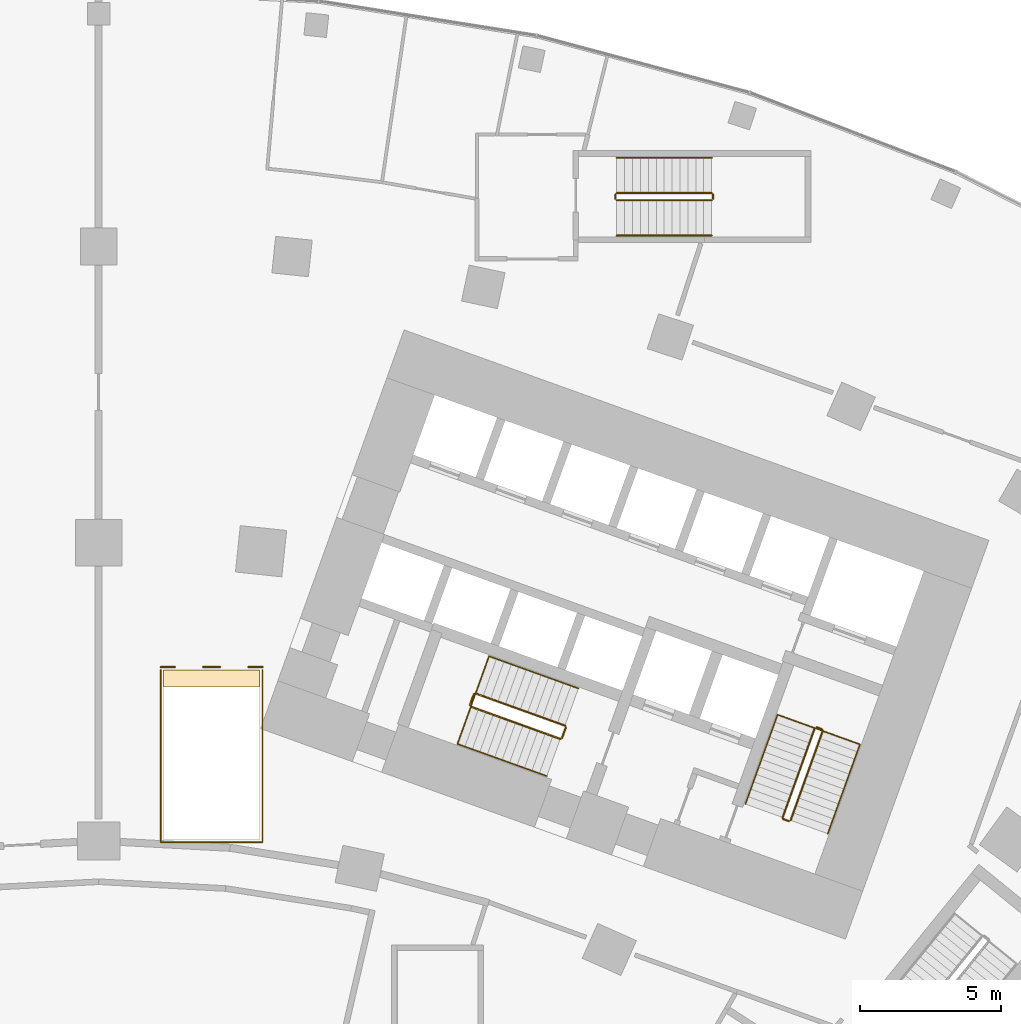
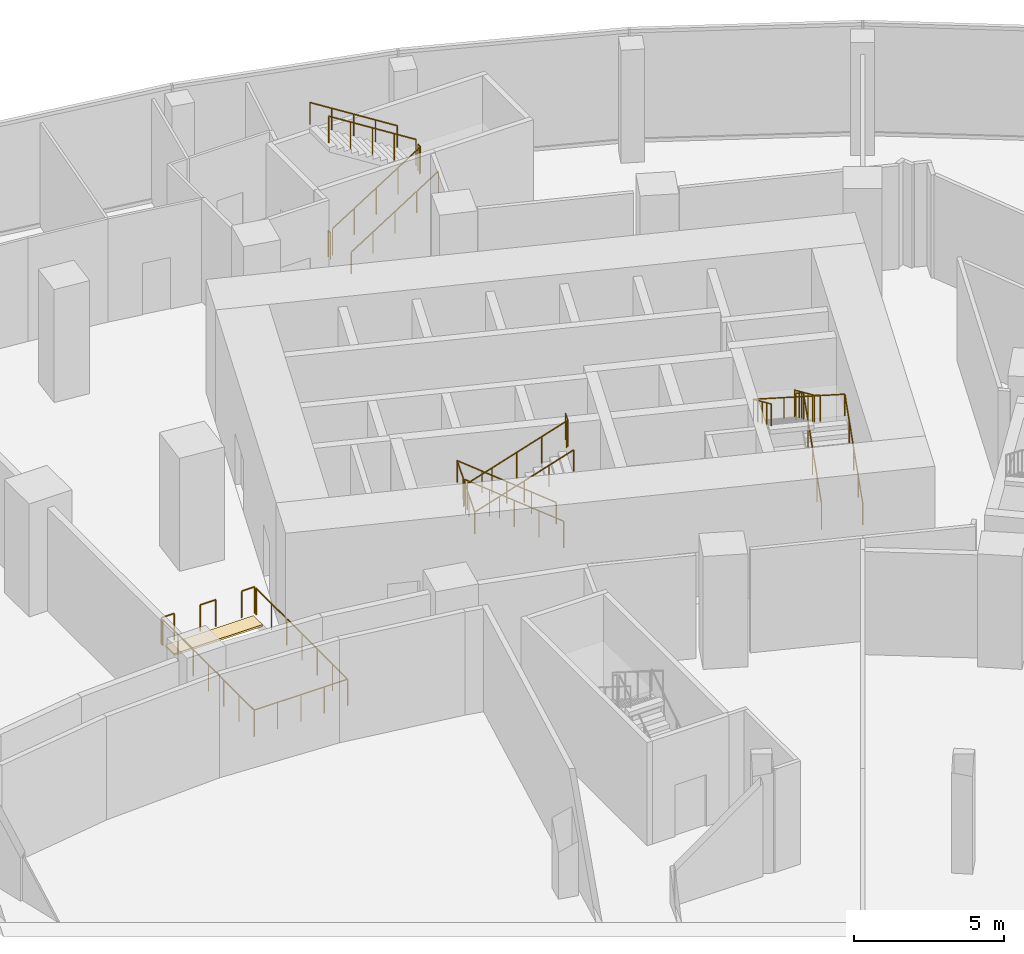
# One storey, part 39 of 40: 16 railings, 1 covering.
"""IFC4 building model written with IfcOpenShell, lengths in metres."""

from ifc_helpers import new_model, si_unit, direction, frame, origin, origin_2d, place, context, subcontext, project, spatial, polyline, circle, outline, extrude, material, layer, layer_set, type_object, element, save


model = new_model("IFC4")

# Units and contexts
model_context = context("Model", 3, precision=1e-05, world=origin(), true_north=direction((0.0, 1.0)))
body_context = subcontext(model_context, "Body", "Model", "MODEL_VIEW")
ifc_project = project(units=[si_unit("LENGTHUNIT", "METRE"), si_unit("AREAUNIT", "SQUARE_METRE"), si_unit("VOLUMEUNIT", "CUBIC_METRE"), si_unit("PLANEANGLEUNIT", "RADIAN"), si_unit("MASSUNIT", "GRAM", prefix="KILO")], contexts=[model_context])

# Site, building, storey
site_placement = place(None, origin())
site = spatial("IfcSite", under=ifc_project, at=site_placement, CompositionType="ELEMENT")
building_placement = place(site_placement, origin())
building = spatial("IfcBuilding", under=site, at=building_placement, Name="Stone Belt Terrace Tower", CompositionType="ELEMENT")
storey_placement = place(building_placement, frame((0.0, 0.0, 11.60009765625)))
storey = spatial("IfcBuildingStorey", under=building, at=storey_placement, Name="L02", CompositionType="ELEMENT", Elevation=11.60009765625)

# Covering
ifc_material_1 = material(Name="Stainless steel floor plate", Category="steel")
ifc_layer = layer(ifc_material_1, 0.080078125)
ifc_layer_set = layer_set([ifc_layer], Name="Escalator landing plate 80")
covering_type = type_object("IfcCoveringType", Name="Escalator landing plate 80", PredefinedType="FLOORING", material=ifc_layer_set)
covering_placement = place(storey_placement, frame((0.0, 0.0, -0.080078125)))
element("IfcCovering", 1, at=covering_placement, inside=storey, type_object=covering_type, Name="Escalator E2 landing plate", PredefinedType="FLOORING", context=body_context, shape_type="SweptSolid", body=[
    extrude(outline(polyline([(2.300048828125, 49.89990234375), (2.300048828125, 50.5), (5.699951171875, 50.5), (5.699951171875, 49.89990234375), (2.300048828125, 49.89990234375)])), origin(), (0.0, 0.0, 1.0), 0.080078125),
])

# Railings
ifc_material_2 = material(Name="Glass and stainless steel balustrade", Category="steel")
railing_type_1 = type_object("IfcRailingType", Name="Podium guard 1100", PredefinedType="GUARDRAIL", material=ifc_material_2)
railing_1_placement = place(storey_placement, frame((2.199951171875, 50.5, 0.0)))
element("IfcRailing", 2, at=railing_1_placement, inside=storey, type_object=railing_type_1, Name="Escalator E2 opening guard", PredefinedType="GUARDRAIL", context=body_context, shape_type="SweptSolid", body=[
    extrude(circle(Radius=0.02392578125, at=origin_2d()), frame((0.0, 0.0, 1.076171875), z_axis=(0.0, -1.0, 0.0), x_axis=(1.0, 0.0, 0.0)), (0.0, 0.0, 1.0), 6.10009765625),
    extrude(circle(Radius=0.02392578125, at=origin_2d()), frame((0.0, -6.10009765625, 1.076171875), z_axis=(1.0, 0.0, 0.0), x_axis=(0.0, 1.0, 0.0)), (0.0, 0.0, 1.0), 3.60009765625),
    extrude(circle(Radius=0.02392578125, at=origin_2d()), frame((3.60009765625, -6.10009765625, 1.076171875), z_axis=(0.0, 1.0, 0.0), x_axis=(-1.0, 0.0, 0.0)), (0.0, 0.0, 1.0), 6.10009765625),
    extrude(circle(Radius=0.02099609375, at=origin_2d()), origin(), (0.0, 0.0, 1.0), 1.052001953125),
    extrude(circle(Radius=0.02099609375, at=origin_2d()), frame((0.0, -1.0166015625, 0.0)), (0.0, 0.0, 1.0), 1.052001953125),
    extrude(circle(Radius=0.02099609375, at=origin_2d()), frame((0.0, -2.033447265625, 0.0)), (0.0, 0.0, 1.0), 1.052001953125),
    extrude(circle(Radius=0.02099609375, at=origin_2d()), frame((0.0, -3.050048828125, 0.0)), (0.0, 0.0, 1.0), 1.052001953125),
    extrude(circle(Radius=0.02099609375, at=origin_2d()), frame((0.0, -4.066650390625, 0.0)), (0.0, 0.0, 1.0), 1.052001953125),
    extrude(circle(Radius=0.02099609375, at=origin_2d()), frame((0.0, -5.08349609375, 0.0)), (0.0, 0.0, 1.0), 1.052001953125),
    extrude(circle(Radius=0.02099609375, at=origin_2d()), frame((0.0, -6.10009765625, 0.0)), (0.0, 0.0, 1.0), 1.052001953125),
    extrude(circle(Radius=0.02099609375, at=origin_2d()), frame((0.89990234375, -6.10009765625, 0.0)), (0.0, 0.0, 1.0), 1.052001953125),
    extrude(circle(Radius=0.02099609375, at=origin_2d()), frame((1.800048828125, -6.10009765625, 0.0)), (0.0, 0.0, 1.0), 1.052001953125),
    extrude(circle(Radius=0.02099609375, at=origin_2d()), frame((2.7001953125, -6.10009765625, 0.0)), (0.0, 0.0, 1.0), 1.052001953125),
    extrude(circle(Radius=0.02099609375, at=origin_2d()), frame((3.60009765625, -6.10009765625, 0.0)), (0.0, 0.0, 1.0), 1.052001953125),
    extrude(circle(Radius=0.02099609375, at=origin_2d()), frame((3.60009765625, -5.08349609375, 0.0)), (0.0, 0.0, 1.0), 1.052001953125),
    extrude(circle(Radius=0.02099609375, at=origin_2d()), frame((3.60009765625, -4.066650390625, 0.0)), (0.0, 0.0, 1.0), 1.052001953125),
    extrude(circle(Radius=0.02099609375, at=origin_2d()), frame((3.60009765625, -3.050048828125, 0.0)), (0.0, 0.0, 1.0), 1.052001953125),
    extrude(circle(Radius=0.02099609375, at=origin_2d()), frame((3.60009765625, -2.033447265625, 0.0)), (0.0, 0.0, 1.0), 1.052001953125),
    extrude(circle(Radius=0.02099609375, at=origin_2d()), frame((3.60009765625, -1.0166015625, 0.0)), (0.0, 0.0, 1.0), 1.052001953125),
    extrude(circle(Radius=0.02099609375, at=origin_2d()), frame((3.60009765625, 0.0, 0.0)), (0.0, 0.0, 1.0), 1.052001953125),
])
railing_2_placement = place(storey_placement, frame((2.199951171875, 50.60009765625, 0.0)))
element("IfcRailing", 3, at=railing_2_placement, inside=storey, type_object=railing_type_1, Name="Escalator E2 arrival edge guard 1", PredefinedType="GUARDRAIL", context=body_context, shape_type="SweptSolid", body=[
    extrude(circle(Radius=0.02392578125, at=origin_2d()), frame((0.0, 0.0, 1.076171875), z_axis=(1.0, 0.0, 0.0), x_axis=(0.0, 1.0, 0.0)), (0.0, 0.0, 1.0), 0.5),
    extrude(circle(Radius=0.02099609375, at=origin_2d()), origin(), (0.0, 0.0, 1.0), 1.052001953125),
    extrude(circle(Radius=0.02099609375, at=origin_2d()), frame((0.5, 0.0, 0.0)), (0.0, 0.0, 1.0), 1.052001953125),
])
railing_3_placement = place(storey_placement, frame((3.699951171875, 50.60009765625, 0.0)))
element("IfcRailing", 4, at=railing_3_placement, inside=storey, type_object=railing_type_1, Name="Escalator E2 arrival edge guard 2", PredefinedType="GUARDRAIL", context=body_context, shape_type="SweptSolid", body=[
    extrude(circle(Radius=0.02392578125, at=origin_2d()), frame((0.0, 0.0, 1.076171875), z_axis=(1.0, 0.0, 0.0), x_axis=(0.0, 1.0, 0.0)), (0.0, 0.0, 1.0), 0.60009765625),
    extrude(circle(Radius=0.02099609375, at=origin_2d()), origin(), (0.0, 0.0, 1.0), 1.052001953125),
    extrude(circle(Radius=0.02099609375, at=origin_2d()), frame((0.60009765625, 0.0, 0.0)), (0.0, 0.0, 1.0), 1.052001953125),
])
railing_4_placement = place(storey_placement, frame((5.300048828125, 50.60009765625, 0.0)))
element("IfcRailing", 5, at=railing_4_placement, inside=storey, type_object=railing_type_1, Name="Escalator E2 arrival edge guard 3", PredefinedType="GUARDRAIL", context=body_context, shape_type="SweptSolid", body=[
    extrude(circle(Radius=0.02392578125, at=origin_2d()), frame((0.0, 0.0, 1.076171875), z_axis=(1.0, 0.0, 0.0), x_axis=(0.0, 1.0, 0.0)), (0.0, 0.0, 1.0), 0.5),
    extrude(circle(Radius=0.02099609375, at=origin_2d()), origin(), (0.0, 0.0, 1.0), 1.052001953125),
    extrude(circle(Radius=0.02099609375, at=origin_2d()), frame((0.5, 0.0, 0.0)), (0.0, 0.0, 1.0), 1.052001953125),
])
ifc_material_3 = material(Name="Steel balustrade", Category="steel")
railing_type_2 = type_object("IfcRailingType", Name="Podium stair guard", PredefinedType="GUARDRAIL", material=ifc_material_3)
railing_5_placement = place(storey_placement, frame((18.340087890625, 67.125, 0.1767578125)))
element("IfcRailing", 6, at=railing_5_placement, inside=storey, type_object=railing_type_2, Name="L02 PS8 stair guard 1", PredefinedType="GUARDRAIL", context=body_context, shape_type="SweptSolid", body=[
    extrude(circle(Radius=0.02392578125, at=origin_2d()), frame((0.0, 0.0, 1.076171875), z_axis=(0.845372108799, 0.0, 0.534177870812), x_axis=(0.0, 1.0, 0.0)), (0.0, 0.0, 1.0), 3.974365234375),
    extrude(circle(Radius=0.02099609375, at=origin_2d()), origin(), (0.0, 0.0, 1.0), 1.052001953125),
    extrude(circle(Radius=0.02099609375, at=origin_2d()), frame((0.83984375, 0.0, 0.53076171875)), (0.0, 0.0, 1.0), 1.052001953125),
    extrude(circle(Radius=0.02099609375, at=origin_2d()), frame((1.679931640625, 0.0, 1.0615234375)), (0.0, 0.0, 1.0), 1.052001953125),
    extrude(circle(Radius=0.02099609375, at=origin_2d()), frame((2.52001953125, 0.0, 1.59228515625)), (0.0, 0.0, 1.0), 1.052001953125),
    extrude(circle(Radius=0.02099609375, at=origin_2d()), frame((3.35986328125, 0.0, 2.123046875)), (0.0, 0.0, 1.0), 1.052001953125),
])
railing_6_placement = place(storey_placement, frame((21.75, 67.175048828125, 2.2998046875)))
element("IfcRailing", 7, at=railing_6_placement, inside=storey, type_object=railing_type_2, Name="L02 PS8 stair guard 2", PredefinedType="GUARDRAIL", context=body_context, shape_type="SweptSolid", body=[
    extrude(circle(Radius=0.02392578125, at=origin_2d()), frame((0.0, 0.0, 1.076171875), z_axis=(0.0, 1.0, 0.0), x_axis=(-1.0, 0.0, 0.0)), (0.0, 0.0, 1.0), 0.14990234375),
    extrude(circle(Radius=0.02099609375, at=origin_2d()), origin(), (0.0, 0.0, 1.0), 1.052001953125),
    extrude(circle(Radius=0.02099609375, at=origin_2d()), frame((0.0, 0.14990234375, 0.0)), (0.0, 0.0, 1.0), 1.052001953125),
])
railing_7_placement = place(storey_placement, frame((21.699951171875, 67.375, 2.476806640625)))
element("IfcRailing", 8, at=railing_7_placement, inside=storey, type_object=railing_type_2, Name="L02 PS8 stair guard 3", PredefinedType="GUARDRAIL", context=body_context, shape_type="SweptSolid", body=[
    extrude(circle(Radius=0.02392578125, at=origin_2d()), frame((0.0, 0.0, 1.076171875), z_axis=(-0.845372108799, 0.0, 0.534177870812), x_axis=(0.0, -1.0, 0.0)), (0.0, 0.0, 1.0), 3.974365234375),
    extrude(circle(Radius=0.02099609375, at=origin_2d()), origin(), (0.0, 0.0, 1.0), 1.052001953125),
    extrude(circle(Radius=0.02099609375, at=origin_2d()), frame((-0.83984375, 0.0, 0.53076171875)), (0.0, 0.0, 1.0), 1.052001953125),
    extrude(circle(Radius=0.02099609375, at=origin_2d()), frame((-1.679931640625, 0.0, 1.0615234375)), (0.0, 0.0, 1.0), 1.052001953125),
    extrude(circle(Radius=0.02099609375, at=origin_2d()), frame((-2.52001953125, 0.0, 1.59228515625)), (0.0, 0.0, 1.0), 1.052001953125),
    extrude(circle(Radius=0.02099609375, at=origin_2d()), frame((-3.35986328125, 0.0, 2.123046875)), (0.0, 0.0, 1.0), 1.052001953125),
])
railing_8_placement = place(storey_placement, frame((18.2900390625, 67.175048828125, 0.0)))
element("IfcRailing", 9, at=railing_8_placement, inside=storey, type_object=railing_type_2, Name="L02 PS8 stair guard 4", PredefinedType="GUARDRAIL", context=body_context, shape_type="SweptSolid", body=[
    extrude(circle(Radius=0.02392578125, at=origin_2d()), frame((0.0, 0.0, 1.076171875), z_axis=(0.0, 1.0, 0.0), x_axis=(-1.0, 0.0, 0.0)), (0.0, 0.0, 1.0), 0.14990234375),
    extrude(circle(Radius=0.02099609375, at=origin_2d()), origin(), (0.0, 0.0, 1.0), 1.052001953125),
    extrude(circle(Radius=0.02099609375, at=origin_2d()), frame((0.0, 0.14990234375, 0.0)), (0.0, 0.0, 1.0), 1.052001953125),
])
ifc_material_4 = material(Name="Stainless steel handrail", Category="steel")
railing_type_3 = type_object("IfcRailingType", Name="Podium stair handrail", PredefinedType="HANDRAIL", material=ifc_material_4)
railing_9_placement = place(storey_placement, frame((18.340087890625, 65.875, 0.1767578125)))
element("IfcRailing", 10, at=railing_9_placement, inside=storey, type_object=railing_type_3, Name="L02 PS8 stair handrail 1", PredefinedType="HANDRAIL", context=body_context, shape_type="SweptSolid", body=[
    extrude(circle(Radius=0.02392578125, at=origin_2d()), frame((0.0, 0.0, 0.8759765625), z_axis=(0.845372108799, 0.0, 0.534177870812), x_axis=(0.0, 1.0, 0.0)), (0.0, 0.0, 1.0), 3.974365234375),
    extrude(circle(Radius=0.02099609375, at=origin_2d()), origin(), (0.0, 0.0, 1.0), 0.851806640625),
    extrude(circle(Radius=0.02099609375, at=origin_2d()), frame((0.83984375, 0.0, 0.53076171875)), (0.0, 0.0, 1.0), 0.851806640625),
    extrude(circle(Radius=0.02099609375, at=origin_2d()), frame((1.679931640625, 0.0, 1.0615234375)), (0.0, 0.0, 1.0), 0.851806640625),
    extrude(circle(Radius=0.02099609375, at=origin_2d()), frame((2.52001953125, 0.0, 1.59228515625)), (0.0, 0.0, 1.0), 0.851806640625),
    extrude(circle(Radius=0.02099609375, at=origin_2d()), frame((3.35986328125, 0.0, 2.123046875)), (0.0, 0.0, 1.0), 0.851806640625),
])
railing_10_placement = place(storey_placement, frame((21.699951171875, 68.625, 2.476806640625)))
element("IfcRailing", 11, at=railing_10_placement, inside=storey, type_object=railing_type_3, Name="L02 PS8 stair handrail 2", PredefinedType="HANDRAIL", context=body_context, shape_type="SweptSolid", body=[
    extrude(circle(Radius=0.02392578125, at=origin_2d()), frame((0.0, 0.0, 0.8759765625), z_axis=(-0.845372108799, 0.0, 0.534177870812), x_axis=(0.0, -1.0, 0.0)), (0.0, 0.0, 1.0), 3.974365234375),
    extrude(circle(Radius=0.02099609375, at=origin_2d()), origin(), (0.0, 0.0, 1.0), 0.851806640625),
    extrude(circle(Radius=0.02099609375, at=origin_2d()), frame((-0.83984375, 0.0, 0.53076171875)), (0.0, 0.0, 1.0), 0.851806640625),
    extrude(circle(Radius=0.02099609375, at=origin_2d()), frame((-1.679931640625, 0.0, 1.0615234375)), (0.0, 0.0, 1.0), 0.851806640625),
    extrude(circle(Radius=0.02099609375, at=origin_2d()), frame((-2.52001953125, 0.0, 1.59228515625)), (0.0, 0.0, 1.0), 0.851806640625),
    extrude(circle(Radius=0.02099609375, at=origin_2d()), frame((-3.35986328125, 0.0, 2.123046875)), (0.0, 0.0, 1.0), 0.851806640625),
])
ifc_material_5 = material(Name="Structural steel C345", Category="steel")
railing_type_4 = type_object("IfcRailingType", Name="Stair guard 1100", PredefinedType="GUARDRAIL", material=ifc_material_5)
railing_11_placement = place(storey_placement, frame((24.494140625, 45.174560546875, 0.1767578125)))
element("IfcRailing", 12, at=railing_11_placement, inside=storey, type_object=railing_type_4, Name="L02 ST1B stair guard 1", PredefinedType="GUARDRAIL", context=body_context, shape_type="SweptSolid", body=[
    extrude(circle(Radius=0.02392578125, at=origin_2d()), frame((0.0, 0.0, 1.076171875), z_axis=(0.286311103083, 0.795417823175, 0.534168923494), x_axis=(-0.940902231577, 0.338678299589, 0.0)), (0.0, 0.0, 1.0), 3.974365234375),
    extrude(circle(Radius=0.02392578125, at=origin_2d()), frame((1.137939453125, 3.161376953125, 3.19921875), z_axis=(-0.427789722475, 0.903878284585, 0.0), x_axis=(-0.903878284585, -0.427789722475, 0.0)), (0.0, 0.0, 1.0), 0.07080078125),
    extrude(circle(Radius=0.02392578125, at=origin_2d()), frame((1.107666015625, 3.225341796875, 3.19921875), z_axis=(-0.940575576748, 0.339584429008, 0.0), x_axis=(-0.339584429008, -0.940575576748, 0.0)), (0.0, 0.0, 1.0), 0.199951171875),
    extrude(circle(Radius=0.02099609375, at=origin_2d()), origin(), (0.0, 0.0, 1.0), 1.052001953125),
    extrude(circle(Radius=0.02099609375, at=origin_2d()), frame((0.284423828125, 0.790283203125, 0.53076171875)), (0.0, 0.0, 1.0), 1.052001953125),
    extrude(circle(Radius=0.02099609375, at=origin_2d()), frame((0.56884765625, 1.58056640625, 1.0615234375)), (0.0, 0.0, 1.0), 1.052001953125),
    extrude(circle(Radius=0.02099609375, at=origin_2d()), frame((0.853515625, 2.37109375, 1.59228515625)), (0.0, 0.0, 1.0), 1.052001953125),
    extrude(circle(Radius=0.02099609375, at=origin_2d()), frame((1.137939453125, 3.161376953125, 2.123046875)), (0.0, 0.0, 1.0), 1.052001953125),
    extrude(circle(Radius=0.02099609375, at=origin_2d()), frame((1.107666015625, 3.225341796875, 2.123046875)), (0.0, 0.0, 1.0), 1.052001953125),
    extrude(circle(Radius=0.02099609375, at=origin_2d()), frame((0.919677734375, 3.293212890625, 2.123046875)), (0.0, 0.0, 1.0), 1.052001953125),
])
railing_12_placement = place(storey_placement, frame((25.349853515625, 48.4375, 2.476806640625)))
element("IfcRailing", 13, at=railing_12_placement, inside=storey, type_object=railing_type_4, Name="L02 ST1B stair guard 2", PredefinedType="GUARDRAIL", context=body_context, shape_type="SweptSolid", body=[
    extrude(circle(Radius=0.02392578125, at=origin_2d()), frame((0.0, 0.0, 1.076171875), z_axis=(-0.286311103083, -0.795417823175, 0.534168923494), x_axis=(0.940902231577, -0.338678299589, 0.0)), (0.0, 0.0, 1.0), 3.974365234375),
    extrude(circle(Radius=0.02392578125, at=origin_2d()), frame((-1.137939453125, -3.161376953125, 3.19921875), z_axis=(0.427789722475, -0.903878284585, 0.0), x_axis=(0.903878284585, 0.427789722475, 0.0)), (0.0, 0.0, 1.0), 0.07080078125),
    extrude(circle(Radius=0.02392578125, at=origin_2d()), frame((-1.107666015625, -3.225341796875, 3.19921875), z_axis=(0.940575576748, -0.339584429008, 0.0), x_axis=(0.339584429008, 0.940575576748, 0.0)), (0.0, 0.0, 1.0), 0.199951171875),
    extrude(circle(Radius=0.02099609375, at=origin_2d()), origin(), (0.0, 0.0, 1.0), 1.052001953125),
    extrude(circle(Radius=0.02099609375, at=origin_2d()), frame((-0.284423828125, -0.790283203125, 0.53076171875)), (0.0, 0.0, 1.0), 1.052001953125),
    extrude(circle(Radius=0.02099609375, at=origin_2d()), frame((-0.56884765625, -1.58056640625, 1.0615234375)), (0.0, 0.0, 1.0), 1.052001953125),
    extrude(circle(Radius=0.02099609375, at=origin_2d()), frame((-0.853515625, -2.37109375, 1.59228515625)), (0.0, 0.0, 1.0), 1.052001953125),
    extrude(circle(Radius=0.02099609375, at=origin_2d()), frame((-1.137939453125, -3.161376953125, 2.123046875)), (0.0, 0.0, 1.0), 1.052001953125),
    extrude(circle(Radius=0.02099609375, at=origin_2d()), frame((-1.107666015625, -3.225341796875, 2.123046875)), (0.0, 0.0, 1.0), 1.052001953125),
    extrude(circle(Radius=0.02099609375, at=origin_2d()), frame((-0.919677734375, -3.293212890625, 2.123046875)), (0.0, 0.0, 1.0), 1.052001953125),
])
railing_13_placement = place(storey_placement, frame((16.507568359375, 48.527099609375, 0.1767578125)))
element("IfcRailing", 14, at=railing_13_placement, inside=storey, type_object=railing_type_4, Name="L02 ST2B stair guard 1", PredefinedType="GUARDRAIL", context=body_context, shape_type="SweptSolid", body=[
    extrude(circle(Radius=0.02392578125, at=origin_2d()), frame((0.0, 0.0, 1.076171875), z_axis=(-0.795431811234, 0.286254710043, 0.534178317283), x_axis=(-0.338613969627, -0.9409253847, 0.0)), (0.0, 0.0, 1.0), 3.974365234375),
    extrude(circle(Radius=0.02392578125, at=origin_2d()), frame((-3.161376953125, 1.1376953125, 3.19921875), z_axis=(-0.905209821074, -0.424964916, 0.0), x_axis=(0.424964916, -0.905209821074, 0.0)), (0.0, 0.0, 1.0), 0.070556640625),
    extrude(circle(Radius=0.02392578125, at=origin_2d()), frame((-3.225341796875, 1.107666015625, 3.19921875), z_axis=(-0.338654645739, -0.940910745459, 0.0), x_axis=(0.940910745459, -0.338654645739, 0.0)), (0.0, 0.0, 1.0), 0.400146484375),
    extrude(circle(Radius=0.02099609375, at=origin_2d()), origin(), (0.0, 0.0, 1.0), 1.052001953125),
    extrude(circle(Radius=0.02099609375, at=origin_2d()), frame((-0.790283203125, 0.284423828125, 0.53076171875)), (0.0, 0.0, 1.0), 1.052001953125),
    extrude(circle(Radius=0.02099609375, at=origin_2d()), frame((-1.58056640625, 0.56884765625, 1.0615234375)), (0.0, 0.0, 1.0), 1.052001953125),
    extrude(circle(Radius=0.02099609375, at=origin_2d()), frame((-2.37109375, 0.853271484375, 1.59228515625)), (0.0, 0.0, 1.0), 1.052001953125),
    extrude(circle(Radius=0.02099609375, at=origin_2d()), frame((-3.161376953125, 1.1376953125, 2.123046875)), (0.0, 0.0, 1.0), 1.052001953125),
    extrude(circle(Radius=0.02099609375, at=origin_2d()), frame((-3.225341796875, 1.107666015625, 2.123046875)), (0.0, 0.0, 1.0), 1.052001953125),
    extrude(circle(Radius=0.02099609375, at=origin_2d()), frame((-3.36083984375, 0.731201171875, 2.123046875)), (0.0, 0.0, 1.0), 1.052001953125),
])
railing_14_placement = place(storey_placement, frame((13.1767578125, 49.1943359375, 2.476806640625)))
element("IfcRailing", 15, at=railing_14_placement, inside=storey, type_object=railing_type_4, Name="L02 ST2B stair guard 2", PredefinedType="GUARDRAIL", context=body_context, shape_type="SweptSolid", body=[
    extrude(circle(Radius=0.02392578125, at=origin_2d()), frame((0.0, 0.0, 1.076171875), z_axis=(0.79545437138, -0.286240723601, 0.53415221726), x_axis=(0.338590819614, 0.940933715451, 0.0)), (0.0, 0.0, 1.0), 3.974609375),
    extrude(circle(Radius=0.02392578125, at=origin_2d()), frame((3.16162109375, -1.1376953125, 3.19921875), z_axis=(0.905209821074, 0.424964916, 0.0), x_axis=(-0.424964916, 0.905209821074, 0.0)), (0.0, 0.0, 1.0), 0.070556640625),
    extrude(circle(Radius=0.02392578125, at=origin_2d()), frame((3.2255859375, -1.107666015625, 3.19921875), z_axis=(0.338654645739, 0.940910745459, 0.0), x_axis=(-0.940910745459, 0.338654645739, 0.0)), (0.0, 0.0, 1.0), 0.400146484375),
    extrude(circle(Radius=0.02099609375, at=origin_2d()), origin(), (0.0, 0.0, 1.0), 1.052001953125),
    extrude(circle(Radius=0.02099609375, at=origin_2d()), frame((0.79052734375, -0.284423828125, 0.53076171875)), (0.0, 0.0, 1.0), 1.052001953125),
    extrude(circle(Radius=0.02099609375, at=origin_2d()), frame((1.580810546875, -0.56884765625, 1.0615234375)), (0.0, 0.0, 1.0), 1.052001953125),
    extrude(circle(Radius=0.02099609375, at=origin_2d()), frame((2.37109375, -0.853271484375, 1.59228515625)), (0.0, 0.0, 1.0), 1.052001953125),
    extrude(circle(Radius=0.02099609375, at=origin_2d()), frame((3.16162109375, -1.1376953125, 2.123046875)), (0.0, 0.0, 1.0), 1.052001953125),
    extrude(circle(Radius=0.02099609375, at=origin_2d()), frame((3.2255859375, -1.107666015625, 2.123046875)), (0.0, 0.0, 1.0), 1.052001953125),
    extrude(circle(Radius=0.02099609375, at=origin_2d()), frame((3.361083984375, -0.731201171875, 2.123046875)), (0.0, 0.0, 1.0), 1.052001953125),
])
railing_type_5 = type_object("IfcRailingType", Name="Stair handrail 900", PredefinedType="HANDRAIL", material=ifc_material_5)
railing_15_placement = place(storey_placement, frame((25.8115234375, 44.700439453125, 0.1767578125)))
element("IfcRailing", 16, at=railing_15_placement, inside=storey, type_object=railing_type_5, Name="L02 ST1B stair handrail 1", PredefinedType="HANDRAIL", context=body_context, shape_type="SweptSolid", body=[
    extrude(circle(Radius=0.02392578125, at=origin_2d()), frame((0.0, 0.0, 0.8759765625), z_axis=(0.286254710043, 0.795431811234, 0.534178317283), x_axis=(-0.9409253847, 0.338613969627, 0.0)), (0.0, 0.0, 1.0), 3.974365234375),
    extrude(circle(Radius=0.02392578125, at=origin_2d()), frame((1.1376953125, 3.161376953125, 2.9990234375), z_axis=(-0.939380425775, 0.338104614617, 0.057006010604), x_axis=(-0.338655323994, -0.940910501339, 0.0)), (0.0, 0.0, 1.0), 3.10498046875),
    extrude(circle(Radius=0.02392578125, at=origin_2d()), frame((-1.779052734375, 4.211181640625, 3.17578125), z_axis=(-0.286254710043, -0.795431811234, 0.534178317283), x_axis=(0.9409253847, -0.338613969627, 0.0)), (0.0, 0.0, 1.0), 3.974365234375),
    extrude(circle(Radius=0.02099609375, at=origin_2d()), origin(), (0.0, 0.0, 1.0), 0.851806640625),
    extrude(circle(Radius=0.02099609375, at=origin_2d()), frame((0.284423828125, 0.790283203125, 0.53076171875)), (0.0, 0.0, 1.0), 0.851806640625),
    extrude(circle(Radius=0.02099609375, at=origin_2d()), frame((0.56884765625, 1.58056640625, 1.0615234375)), (0.0, 0.0, 1.0), 0.851806640625),
    extrude(circle(Radius=0.02099609375, at=origin_2d()), frame((0.853271484375, 2.37109375, 1.59228515625)), (0.0, 0.0, 1.0), 0.851806640625),
    extrude(circle(Radius=0.02099609375, at=origin_2d()), frame((1.1376953125, 3.161376953125, 2.123046875)), (0.0, 0.0, 1.0), 0.851806640625),
    extrude(circle(Radius=0.02099609375, at=origin_2d()), frame((0.16552734375, 3.51123046875, 2.18212890625)), (0.0, 0.0, 1.0), 0.851806640625),
    extrude(circle(Radius=0.02099609375, at=origin_2d()), frame((-0.806884765625, 3.861328125, 2.240966796875)), (0.0, 0.0, 1.0), 0.851806640625),
    extrude(circle(Radius=0.02099609375, at=origin_2d()), frame((-1.779052734375, 4.211181640625, 2.300048828125)), (0.0, 0.0, 1.0), 0.851806640625),
    extrude(circle(Radius=0.02099609375, at=origin_2d()), frame((-2.0634765625, 3.4208984375, 2.830810546875)), (0.0, 0.0, 1.0), 0.851806640625),
    extrude(circle(Radius=0.02099609375, at=origin_2d()), frame((-2.347900390625, 2.63037109375, 3.361572265625)), (0.0, 0.0, 1.0), 0.851806640625),
    extrude(circle(Radius=0.02099609375, at=origin_2d()), frame((-2.63232421875, 1.840087890625, 3.892333984375)), (0.0, 0.0, 1.0), 0.851806640625),
    extrude(circle(Radius=0.02099609375, at=origin_2d()), frame((-2.916748046875, 1.0498046875, 4.423095703125)), (0.0, 0.0, 1.0), 0.851806640625),
])
railing_16_placement = place(storey_placement, frame((16.981689453125, 49.84423828125, 0.1767578125)))
element("IfcRailing", 17, at=railing_16_placement, inside=storey, type_object=railing_type_5, Name="L02 ST2B stair handrail 1", PredefinedType="HANDRAIL", context=body_context, shape_type="SweptSolid", body=[
    extrude(circle(Radius=0.02392578125, at=origin_2d()), frame((0.0, 0.0, 0.8759765625), z_axis=(-0.795417823175, 0.286311103083, 0.534168923494), x_axis=(-0.338678299589, -0.940902231577, 0.0)), (0.0, 0.0, 1.0), 3.974365234375),
    extrude(circle(Radius=0.02392578125, at=origin_2d()), frame((-3.161376953125, 1.137939453125, 2.9990234375), z_axis=(-0.338112997137, -0.939580338779, 0.053557335138), x_axis=(0.940930785231, -0.338598962497, 0.0)), (0.0, 0.0, 1.0), 3.304931640625),
    extrude(circle(Radius=0.02392578125, at=origin_2d()), frame((-4.27880859375, -1.96728515625, 3.17578125), z_axis=(0.795431811234, -0.286254710043, 0.534178317283), x_axis=(0.338613969627, 0.9409253847, 0.0)), (0.0, 0.0, 1.0), 3.974365234375),
    extrude(circle(Radius=0.02099609375, at=origin_2d()), origin(), (0.0, 0.0, 1.0), 0.851806640625),
    extrude(circle(Radius=0.02099609375, at=origin_2d()), frame((-0.790283203125, 0.284423828125, 0.53076171875)), (0.0, 0.0, 1.0), 0.851806640625),
    extrude(circle(Radius=0.02099609375, at=origin_2d()), frame((-1.58056640625, 0.56884765625, 1.0615234375)), (0.0, 0.0, 1.0), 0.851806640625),
    extrude(circle(Radius=0.02099609375, at=origin_2d()), frame((-2.37109375, 0.853515625, 1.59228515625)), (0.0, 0.0, 1.0), 0.851806640625),
    extrude(circle(Radius=0.02099609375, at=origin_2d()), frame((-3.161376953125, 1.137939453125, 2.123046875)), (0.0, 0.0, 1.0), 0.851806640625),
    extrude(circle(Radius=0.02099609375, at=origin_2d()), frame((-3.533935546875, 0.102783203125, 2.18212890625)), (0.0, 0.0, 1.0), 0.851806640625),
    extrude(circle(Radius=0.02099609375, at=origin_2d()), frame((-3.90625, -0.93212890625, 2.240966796875)), (0.0, 0.0, 1.0), 0.851806640625),
    extrude(circle(Radius=0.02099609375, at=origin_2d()), frame((-4.27880859375, -1.96728515625, 2.300048828125)), (0.0, 0.0, 1.0), 0.851806640625),
    extrude(circle(Radius=0.02099609375, at=origin_2d()), frame((-3.488525390625, -2.251708984375, 2.830810546875)), (0.0, 0.0, 1.0), 0.851806640625),
    extrude(circle(Radius=0.02099609375, at=origin_2d()), frame((-2.6982421875, -2.5361328125, 3.361572265625)), (0.0, 0.0, 1.0), 0.851806640625),
    extrude(circle(Radius=0.02099609375, at=origin_2d()), frame((-1.90771484375, -2.820556640625, 3.892333984375)), (0.0, 0.0, 1.0), 0.851806640625),
    extrude(circle(Radius=0.02099609375, at=origin_2d()), frame((-1.117431640625, -3.10498046875, 4.423095703125)), (0.0, 0.0, 1.0), 0.851806640625),
])

save(model, "model.ifc")
